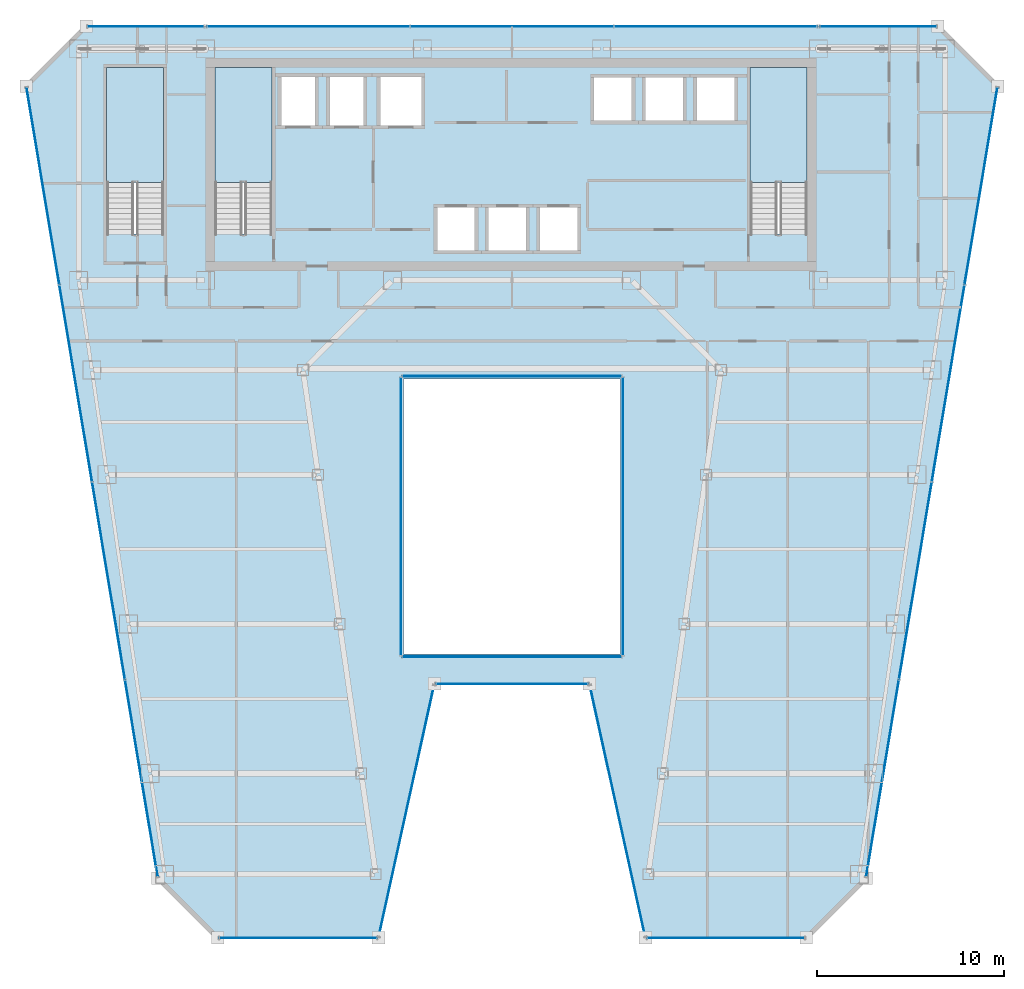
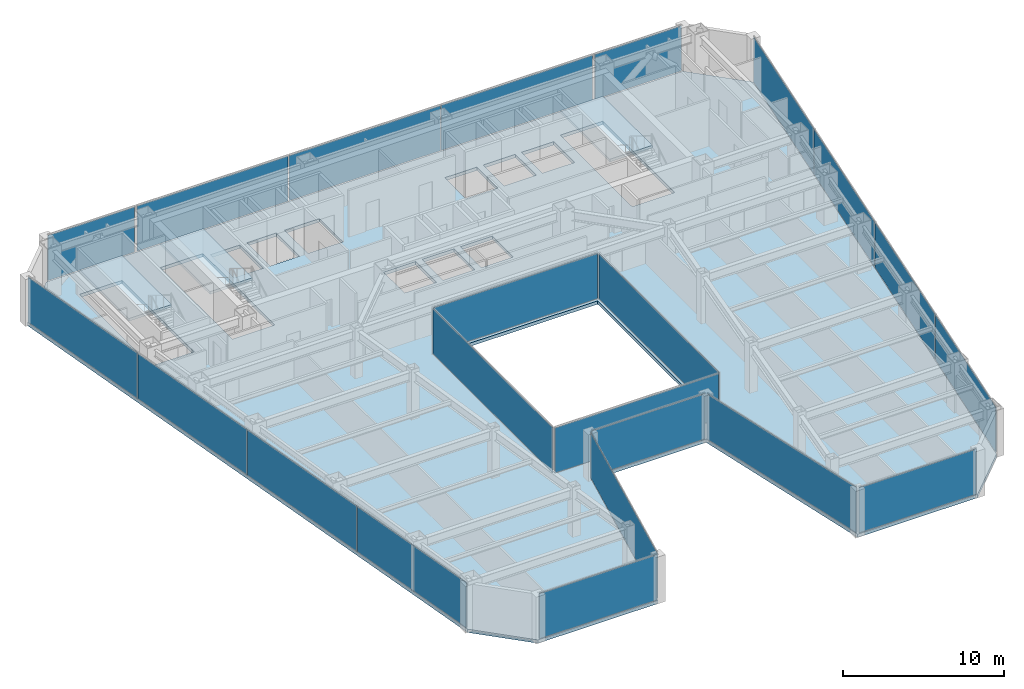
# One storey, part 29 of 36: 22 plates, 4 slabs, 17 elements without a shape of their own.
"""IFC4 building model written with IfcOpenShell, lengths in metres."""

from ifc_helpers import new_model, si_unit, direction, frame, origin, origin_2d, place, context, subcontext, project, spatial, polyline, rectangle, outline, extrude, material, layer, layer_set, type_object, element, aggregate, save


model = new_model("IFC4")

# Units and contexts
model_context = context("Model", 3, precision=1e-05, world=origin(), true_north=direction((0.0, 1.0)))
body_context = subcontext(model_context, "Body", "Model", "MODEL_VIEW")
ifc_project = project(units=[si_unit("LENGTHUNIT", "METRE"), si_unit("AREAUNIT", "SQUARE_METRE"), si_unit("VOLUMEUNIT", "CUBIC_METRE"), si_unit("PLANEANGLEUNIT", "RADIAN"), si_unit("MASSUNIT", "GRAM", prefix="KILO")], contexts=[model_context])

# Site, building, storey
site_placement = place(None, origin())
site = spatial("IfcSite", under=ifc_project, at=site_placement, CompositionType="ELEMENT")
building_placement = place(site_placement, origin())
building = spatial("IfcBuilding", under=site, at=building_placement, Name="Saevonmaru Cultural Tower", CompositionType="ELEMENT")
storey_placement = place(building_placement, frame((0.0, 0.0, 148.60009765625)))
storey = spatial("IfcBuildingStorey", under=building, at=storey_placement, Name="L32", CompositionType="ELEMENT", Elevation=148.60009765625)

# Curtain wall, plate
ifc_material_1 = material(Name="Satin Bronze Anodised Aluminium", Category="aluminium")
curtain_wall_type_1 = type_object("IfcCurtainWallType", Name="CW-ATR-GLZ", PredefinedType="NOTDEFINED", material=ifc_material_1)
curtain_wall_1_placement = place(storey_placement, origin())
curtain_wall_1 = element("IfcCurtainWall", 1, at=curtain_wall_1_placement, inside=storey, type_object=curtain_wall_type_1, Name="L32 Vertical Atrium Glazed Smoke Screen 1", PredefinedType="NOTDEFINED")
ifc_material_2 = material(Name="Fire-Rated Laminated Atrium Glass", Category="glass")
ifc_layer_1 = layer(ifc_material_2, 0.031982421875, Name="Fire-Rated Laminated Atrium Glass")
ifc_layer_set_1 = layer_set([ifc_layer_1], Name="Fire-Rated Laminated Atrium Glass")
plate_type_1 = type_object("IfcPlateType", Name="PN-GLZ-ATR-INT", PredefinedType="CURTAIN_PANEL", material=ifc_layer_set_1)
plate_1_placement = place(storey_placement, frame((30.0, 22.25, 0.06689453125), z_axis=(0.0, 0.0, 1.0), x_axis=(1.0, 0.0, 0.0)))
plate_1 = element("IfcPlate", 2, at=plate_1_placement, type_object=plate_type_1, Name="CW-ATR-L32-1 panel 1.1", PredefinedType="CURTAIN_PANEL", context=body_context, shape_type="SweptSolid", body=[
    extrude(rectangle(XDim=11.7109375, YDim=0.031982421875, at=origin_2d()), origin(), (0.0, 0.0, 1.0), 3.416015625),
])
aggregate(curtain_wall_1, [plate_1])

curtain_wall_2_placement = place(storey_placement, origin())
curtain_wall_2 = element("IfcCurtainWall", 3, at=curtain_wall_2_placement, inside=storey, type_object=curtain_wall_type_1, Name="L32 Vertical Atrium Glazed Smoke Screen 2", PredefinedType="NOTDEFINED")
plate_2_placement = place(storey_placement, frame((35.949951171875, 29.760009765625, 0.06689453125), z_axis=(0.0, 0.0, 1.0), x_axis=(0.0, 1.0, 0.0)))
plate_2 = element("IfcPlate", 4, at=plate_2_placement, type_object=plate_type_1, Name="CW-ATR-L32-2 panel 1.1", PredefinedType="CURTAIN_PANEL", context=body_context, shape_type="SweptSolid", body=[
    extrude(rectangle(XDim=14.8310546875, YDim=0.031982421875, at=origin_2d()), origin(), (0.0, 0.0, 1.0), 3.416015625),
])
aggregate(curtain_wall_2, [plate_2])

curtain_wall_3_placement = place(storey_placement, origin())
curtain_wall_3 = element("IfcCurtainWall", 5, at=curtain_wall_3_placement, inside=storey, type_object=curtain_wall_type_1, Name="L32 Vertical Atrium Glazed Smoke Screen 3", PredefinedType="NOTDEFINED")
plate_3_placement = place(storey_placement, frame((30.0, 37.27001953125, 0.06689453125), z_axis=(0.0, 0.0, 1.0), x_axis=(-1.0, 0.0, 0.0)))
plate_3 = element("IfcPlate", 6, at=plate_3_placement, type_object=plate_type_1, Name="CW-ATR-L32-3 panel 1.1", PredefinedType="CURTAIN_PANEL", context=body_context, shape_type="SweptSolid", body=[
    extrude(rectangle(XDim=11.7109375, YDim=0.031982421875, at=origin_2d()), origin(), (0.0, 0.0, 1.0), 3.416015625),
])
aggregate(curtain_wall_3, [plate_3])

curtain_wall_4_placement = place(storey_placement, origin())
curtain_wall_4 = element("IfcCurtainWall", 7, at=curtain_wall_4_placement, inside=storey, type_object=curtain_wall_type_1, Name="L32 Vertical Atrium Glazed Smoke Screen 4", PredefinedType="NOTDEFINED")
plate_4_placement = place(storey_placement, frame((24.050048828125, 29.760009765625, 0.06689453125), z_axis=(0.0, 0.0, 1.0), x_axis=(0.0, -1.0, 0.0)))
plate_4 = element("IfcPlate", 8, at=plate_4_placement, type_object=plate_type_1, Name="CW-ATR-L32-4 panel 1.1", PredefinedType="CURTAIN_PANEL", context=body_context, shape_type="SweptSolid", body=[
    extrude(rectangle(XDim=14.8310546875, YDim=0.031982421875, at=origin_2d()), origin(), (0.0, 0.0, 1.0), 3.416015625),
])
aggregate(curtain_wall_4, [plate_4])

curtain_wall_type_2 = type_object("IfcCurtainWallType", Name="CW-TYP-A", PredefinedType="NOTDEFINED", material=ifc_material_1)
curtain_wall_5_placement = place(storey_placement, origin())
curtain_wall_5 = element("IfcCurtainWall", 9, at=curtain_wall_5_placement, inside=storey, type_object=curtain_wall_type_2, Name="L32 Unitised Curtain Wall E2", PredefinedType="NOTDEFINED")
ifc_material_3 = material(Name="Triple Silver Low-E Insulating Glass", Category="glass")
ifc_layer_2 = layer(ifc_material_3, 0.035888671875, Name="Triple Silver Low-E Insulating Glass")
ifc_layer_set_2 = layer_set([ifc_layer_2], Name="Triple Silver Low-E Insulating Glass")
plate_type_2 = type_object("IfcPlateType", Name="PN-GLZ-IGU", PredefinedType="CURTAIN_PANEL", material=ifc_layer_set_2)
plate_5_placement = place(storey_placement, frame((18.548828125, 7.199951171875, 0.06689453125), z_axis=(0.0, 0.0, 1.0), x_axis=(1.0, 0.0, 0.0)))
plate_5 = element("IfcPlate", 10, at=plate_5_placement, type_object=plate_type_2, Name="CW-TW-L32-E2 panel 1.1", PredefinedType="CURTAIN_PANEL", context=body_context, shape_type="SweptSolid", body=[
    extrude(rectangle(XDim=8.410888671875, YDim=0.035888671875, at=origin_2d()), origin(), (0.0, 0.0, 1.0), 3.416015625),
])
aggregate(curtain_wall_5, [plate_5])

curtain_wall_6_placement = place(storey_placement, origin())
curtain_wall_6 = element("IfcCurtainWall", 11, at=curtain_wall_6_placement, inside=storey, type_object=curtain_wall_type_2, Name="L32 Unitised Curtain Wall E3", PredefinedType="NOTDEFINED")
plate_6_placement = place(storey_placement, frame((24.348876953125, 14.0, 0.06689453125), z_axis=(0.0, 0.0, 1.0), x_axis=(0.215413319953, 0.976522965212, 0.0)))
plate_6 = element("IfcPlate", 12, at=plate_6_placement, type_object=plate_type_2, Name="CW-TW-L32-E3 panel 1.1", PredefinedType="CURTAIN_PANEL", context=body_context, shape_type="SweptSolid", body=[
    extrude(rectangle(XDim=13.738037109375, YDim=0.035888671875, at=origin_2d()), origin(), (0.0, 0.0, 1.0), 3.416015625),
])
aggregate(curtain_wall_6, [plate_6])

curtain_wall_7_placement = place(storey_placement, origin())
curtain_wall_7 = element("IfcCurtainWall", 13, at=curtain_wall_7_placement, inside=storey, type_object=curtain_wall_type_2, Name="L32 Unitised Curtain Wall E4", PredefinedType="NOTDEFINED")
plate_7_placement = place(storey_placement, frame((30.0, 20.800048828125, 0.06689453125), z_axis=(0.0, 0.0, 1.0), x_axis=(1.0, 0.0, 0.0)))
plate_7 = element("IfcPlate", 14, at=plate_7_placement, type_object=plate_type_2, Name="CW-TW-L32-E4 panel 1.1", PredefinedType="CURTAIN_PANEL", context=body_context, shape_type="SweptSolid", body=[
    extrude(rectangle(XDim=8.11328125, YDim=0.035888671875, at=origin_2d()), origin(), (0.0, 0.0, 1.0), 3.416015625),
])
aggregate(curtain_wall_7, [plate_7])

curtain_wall_8_placement = place(storey_placement, origin())
curtain_wall_8 = element("IfcCurtainWall", 15, at=curtain_wall_8_placement, inside=storey, type_object=curtain_wall_type_2, Name="L32 Unitised Curtain Wall E5", PredefinedType="NOTDEFINED")
plate_8_placement = place(storey_placement, frame((35.651123046875, 14.0, 0.06689453125), z_axis=(0.0, 0.0, 1.0), x_axis=(0.215413319953, -0.976522965212, 0.0)))
plate_8 = element("IfcPlate", 16, at=plate_8_placement, type_object=plate_type_2, Name="CW-TW-L32-E5 panel 1.1", PredefinedType="CURTAIN_PANEL", context=body_context, shape_type="SweptSolid", body=[
    extrude(rectangle(XDim=13.738037109375, YDim=0.035888671875, at=origin_2d()), origin(), (0.0, 0.0, 1.0), 3.416015625),
])
aggregate(curtain_wall_8, [plate_8])

curtain_wall_9_placement = place(storey_placement, origin())
curtain_wall_9 = element("IfcCurtainWall", 17, at=curtain_wall_9_placement, inside=storey, type_object=curtain_wall_type_2, Name="L32 Unitised Curtain Wall E6", PredefinedType="NOTDEFINED")
plate_9_placement = place(storey_placement, frame((41.451171875, 7.199951171875, 0.06689453125), z_axis=(0.0, 0.0, 1.0), x_axis=(1.0, 0.0, 0.0)))
plate_9 = element("IfcPlate", 18, at=plate_9_placement, type_object=plate_type_2, Name="CW-TW-L32-E6 panel 1.1", PredefinedType="CURTAIN_PANEL", context=body_context, shape_type="SweptSolid", body=[
    extrude(rectangle(XDim=8.410888671875, YDim=0.035888671875, at=origin_2d()), origin(), (0.0, 0.0, 1.0), 3.416015625),
])
aggregate(curtain_wall_9, [plate_9])

# Curtain wall, plates
curtain_wall_10_placement = place(storey_placement, origin())
curtain_wall_10 = element("IfcCurtainWall", 19, at=curtain_wall_10_placement, inside=storey, type_object=curtain_wall_type_2, Name="L32 Unitised Curtain Wall E8", PredefinedType="NOTDEFINED")
plate_10_placement = place(storey_placement, frame((49.839599609375, 15.744384765625, 0.06689453125), z_axis=(0.0, 0.0, 1.0), x_axis=(0.163998702345, 0.986460554523, 0.0)))
plate_10 = element("IfcPlate", 20, at=plate_10_placement, type_object=plate_type_2, Name="CW-TW-L32-E8 panel 1.1", PredefinedType="CURTAIN_PANEL", context=body_context, shape_type="SweptSolid", body=[
    extrude(rectangle(XDim=10.646484375, YDim=0.035888671875, at=origin_2d()), origin(), (0.0, 0.0, 1.0), 3.416015625),
])
plate_11_placement = place(storey_placement, frame((51.596923828125, 26.314697265625, 0.06689453125), z_axis=(0.0, 0.0, 1.0), x_axis=(0.163998702345, 0.986460554523, 0.0)))
plate_11 = element("IfcPlate", 21, at=plate_11_placement, type_object=plate_type_2, Name="CW-TW-L32-E8 panel 2.1", PredefinedType="CURTAIN_PANEL", context=body_context, shape_type="SweptSolid", body=[
    extrude(rectangle(XDim=10.646484375, YDim=0.035888671875, at=origin_2d()), origin(), (0.0, 0.0, 1.0), 3.416015625),
])
plate_12_placement = place(storey_placement, frame((53.354248046875, 36.88525390625, 0.06689453125), z_axis=(0.0, 0.0, 1.0), x_axis=(0.163998702345, 0.986460554523, 0.0)))
plate_12 = element("IfcPlate", 22, at=plate_12_placement, type_object=plate_type_2, Name="CW-TW-L32-E8 panel 3.1", PredefinedType="CURTAIN_PANEL", context=body_context, shape_type="SweptSolid", body=[
    extrude(rectangle(XDim=10.646484375, YDim=0.035888671875, at=origin_2d()), origin(), (0.0, 0.0, 1.0), 3.416015625),
])
plate_13_placement = place(storey_placement, frame((55.111572265625, 47.45556640625, 0.06689453125), z_axis=(0.0, 0.0, 1.0), x_axis=(0.163998702345, 0.986460554523, 0.0)))
plate_13 = element("IfcPlate", 23, at=plate_13_placement, type_object=plate_type_2, Name="CW-TW-L32-E8 panel 4.1", PredefinedType="CURTAIN_PANEL", context=body_context, shape_type="SweptSolid", body=[
    extrude(rectangle(XDim=10.646484375, YDim=0.035888671875, at=origin_2d()), origin(), (0.0, 0.0, 1.0), 3.416015625),
])
aggregate(curtain_wall_10, [plate_10, plate_11, plate_12, plate_13])

curtain_wall_11_placement = place(storey_placement, origin())
curtain_wall_11 = element("IfcCurtainWall", 24, at=curtain_wall_11_placement, inside=storey, type_object=curtain_wall_type_2, Name="L32 North Spine Unitised Curtain Wall E10B", PredefinedType="NOTDEFINED")
plate_14_placement = place(storey_placement, frame((40.893310546875, 56.0, 0.06689453125), z_axis=(0.0, 0.0, 1.0), x_axis=(-1.0, 0.0, 0.0)))
plate_14 = element("IfcPlate", 25, at=plate_14_placement, type_object=plate_type_2, Name="CW-TW-L32-E10B panel 1.1", PredefinedType="CURTAIN_PANEL", context=body_context, shape_type="SweptSolid", body=[
    extrude(rectangle(XDim=10.82421875, YDim=0.035888671875, at=origin_2d()), origin(), (0.0, 0.0, 1.0), 3.416015625),
])
plate_15_placement = place(storey_placement, frame((30.0, 56.0, 0.06689453125), z_axis=(0.0, 0.0, 1.0), x_axis=(-1.0, 0.0, 0.0)))
plate_15 = element("IfcPlate", 26, at=plate_15_placement, type_object=plate_type_2, Name="CW-TW-L32-E10B panel 2.1", PredefinedType="CURTAIN_PANEL", context=body_context, shape_type="SweptSolid", body=[
    extrude(rectangle(XDim=10.82421875, YDim=0.035888671875, at=origin_2d()), origin(), (0.0, 0.0, 1.0), 3.416015625),
])
plate_16_placement = place(storey_placement, frame((19.106689453125, 56.0, 0.06689453125), z_axis=(0.0, 0.0, 1.0), x_axis=(-1.0, 0.0, 0.0)))
plate_16 = element("IfcPlate", 27, at=plate_16_placement, type_object=plate_type_2, Name="CW-TW-L32-E10B panel 3.1", PredefinedType="CURTAIN_PANEL", context=body_context, shape_type="SweptSolid", body=[
    extrude(rectangle(XDim=10.82421875, YDim=0.035888671875, at=origin_2d()), origin(), (0.0, 0.0, 1.0), 3.416015625),
])
aggregate(curtain_wall_11, [plate_14, plate_15, plate_16])

curtain_wall_12_placement = place(storey_placement, origin())
curtain_wall_12 = element("IfcCurtainWall", 28, at=curtain_wall_12_placement, inside=storey, type_object=curtain_wall_type_2, Name="L32 Unitised Curtain Wall E12", PredefinedType="NOTDEFINED")
plate_17_placement = place(storey_placement, frame((4.888427734375, 47.45556640625, 0.06689453125), z_axis=(0.0, 0.0, 1.0), x_axis=(0.163998702345, -0.986460554523, 0.0)))
plate_17 = element("IfcPlate", 29, at=plate_17_placement, type_object=plate_type_2, Name="CW-TW-L32-E12 panel 1.1", PredefinedType="CURTAIN_PANEL", context=body_context, shape_type="SweptSolid", body=[
    extrude(rectangle(XDim=10.646484375, YDim=0.035888671875, at=origin_2d()), origin(), (0.0, 0.0, 1.0), 3.416015625),
])
plate_18_placement = place(storey_placement, frame((6.645751953125, 36.88525390625, 0.06689453125), z_axis=(0.0, 0.0, 1.0), x_axis=(0.163998702345, -0.986460554523, 0.0)))
plate_18 = element("IfcPlate", 30, at=plate_18_placement, type_object=plate_type_2, Name="CW-TW-L32-E12 panel 2.1", PredefinedType="CURTAIN_PANEL", context=body_context, shape_type="SweptSolid", body=[
    extrude(rectangle(XDim=10.646484375, YDim=0.035888671875, at=origin_2d()), origin(), (0.0, 0.0, 1.0), 3.416015625),
])
plate_19_placement = place(storey_placement, frame((8.403076171875, 26.314697265625, 0.06689453125), z_axis=(0.0, 0.0, 1.0), x_axis=(0.163998702345, -0.986460554523, 0.0)))
plate_19 = element("IfcPlate", 31, at=plate_19_placement, type_object=plate_type_2, Name="CW-TW-L32-E12 panel 3.1", PredefinedType="CURTAIN_PANEL", context=body_context, shape_type="SweptSolid", body=[
    extrude(rectangle(XDim=10.646484375, YDim=0.035888671875, at=origin_2d()), origin(), (0.0, 0.0, 1.0), 3.416015625),
])
plate_20_placement = place(storey_placement, frame((10.160400390625, 15.744384765625, 0.06689453125), z_axis=(0.0, 0.0, 1.0), x_axis=(0.163998702345, -0.986460554523, 0.0)))
plate_20 = element("IfcPlate", 32, at=plate_20_placement, type_object=plate_type_2, Name="CW-TW-L32-E12 panel 4.1", PredefinedType="CURTAIN_PANEL", context=body_context, shape_type="SweptSolid", body=[
    extrude(rectangle(XDim=10.646484375, YDim=0.035888671875, at=origin_2d()), origin(), (0.0, 0.0, 1.0), 3.416015625),
])
aggregate(curtain_wall_12, [plate_17, plate_18, plate_19, plate_20])

# Curtain wall, plate
curtain_wall_13_placement = place(storey_placement, origin())
curtain_wall_13 = element("IfcCurtainWall", 33, at=curtain_wall_13_placement, inside=storey, type_object=curtain_wall_type_2, Name="L32 East Braced Bay Spandrel Curtain Wall E10A", PredefinedType="NOTDEFINED")
ifc_material_4 = material(Name="Insulated Satin Bronze Aluminium Spandrel Panel", Category="aluminium")
ifc_layer_3 = layer(ifc_material_4, 0.0400390625, Name="Insulated Satin Bronze Aluminium Spandrel Panel")
ifc_layer_set_3 = layer_set([ifc_layer_3], Name="Insulated Satin Bronze Aluminium Spandrel Panel")
plate_type_3 = type_object("IfcPlateType", Name="PN-SPANDREL-BRONZE", PredefinedType="CURTAIN_PANEL", material=ifc_layer_set_3)
plate_21_placement = place(storey_placement, frame((49.60009765625, 56.0, 0.06689453125), z_axis=(0.0, 0.0, 1.0), x_axis=(-1.0, 0.0, 0.0)))
plate_21 = element("IfcPlate", 34, at=plate_21_placement, type_object=plate_type_3, Name="CW-TW-L32-E10A panel 1.1", PredefinedType="CURTAIN_PANEL", context=body_context, shape_type="SweptSolid", body=[
    extrude(rectangle(XDim=6.2109375, YDim=0.035888671875, at=origin_2d()), origin(), (0.0, 0.0, 1.0), 3.416015625),
])
aggregate(curtain_wall_13, [plate_21])

curtain_wall_14_placement = place(storey_placement, origin())
curtain_wall_14 = element("IfcCurtainWall", 35, at=curtain_wall_14_placement, inside=storey, type_object=curtain_wall_type_2, Name="L32 West Braced Bay Spandrel Curtain Wall E10C", PredefinedType="NOTDEFINED")
plate_22_placement = place(storey_placement, frame((10.39990234375, 56.0, 0.06689453125), z_axis=(0.0, 0.0, 1.0), x_axis=(-1.0, 0.0, 0.0)))
plate_22 = element("IfcPlate", 36, at=plate_22_placement, type_object=plate_type_3, Name="CW-TW-L32-E10C panel 1.1", PredefinedType="CURTAIN_PANEL", context=body_context, shape_type="SweptSolid", body=[
    extrude(rectangle(XDim=6.2109375, YDim=0.035888671875, at=origin_2d()), origin(), (0.0, 0.0, 1.0), 3.416015625),
])
aggregate(curtain_wall_14, [plate_22])

# Slab
ifc_material_5 = material(Name="Concrete C40/50", Category="concrete")
ifc_layer_4 = layer(ifc_material_5, 0.25, Name="Concrete C40/50")
ifc_layer_set_4 = layer_set([ifc_layer_4], Name="Concrete C40/50")
slab_type_1 = type_object("IfcSlabType", Name="SL-FLR-250", PredefinedType="FLOOR", material=ifc_layer_set_4)
slab_1_placement = place(storey_placement, frame((0.0, 0.0, -0.25)))
element("IfcSlab", 37, at=slab_1_placement, inside=storey, type_object=slab_type_1, Name="L32 Tower Structural Floor Slab", PredefinedType="FLOOR", context=body_context, shape_type="SweptSolid", body=[
    extrude(outline(polyline([(11.048828125, 10.39990234375), (14.248779296875, 7.199951171875), (22.848876953125, 7.199951171875), (25.848876953125, 20.800048828125), (34.151123046875, 20.800048828125), (37.151123046875, 7.199951171875), (45.751220703125, 7.199951171875), (48.951171875, 10.39990234375), (56.0, 52.800048828125), (52.800048828125, 56.0), (7.199951171875, 56.0), (4.0, 52.800048828125), (11.048828125, 10.39990234375)]), holes=[polyline([(45.800048828125, 44.875), (42.75, 44.875), (42.75, 53.800048828125), (45.800048828125, 53.800048828125), (45.800048828125, 44.875)]), polyline([(39.75, 50.800048828125), (39.75, 53.39990234375), (42.050048828125, 53.39990234375), (42.050048828125, 50.800048828125), (39.75, 50.800048828125)]), polyline([(37.0, 50.800048828125), (37.0, 53.39990234375), (39.300048828125, 53.39990234375), (39.300048828125, 50.800048828125), (37.0, 50.800048828125)]), polyline([(34.25, 50.800048828125), (34.25, 53.39990234375), (36.550048828125, 53.39990234375), (36.550048828125, 50.800048828125), (34.25, 50.800048828125)]), polyline([(24.199951171875, 22.39990234375), (24.199951171875, 37.1201171875), (35.800048828125, 37.1201171875), (35.800048828125, 22.39990234375), (24.199951171875, 22.39990234375)]), polyline([(31.35009765625, 43.85009765625), (31.35009765625, 46.449951171875), (33.64990234375, 46.449951171875), (33.64990234375, 43.85009765625), (31.35009765625, 43.85009765625)]), polyline([(28.60009765625, 43.85009765625), (28.60009765625, 46.449951171875), (30.89990234375, 46.449951171875), (30.89990234375, 43.85009765625), (28.60009765625, 43.85009765625)]), polyline([(28.14990234375, 43.85009765625), (25.85009765625, 43.85009765625), (25.85009765625, 46.449951171875), (28.14990234375, 46.449951171875), (28.14990234375, 43.85009765625)]), polyline([(25.300048828125, 50.550048828125), (22.800048828125, 50.550048828125), (22.800048828125, 53.449951171875), (25.300048828125, 53.449951171875), (25.300048828125, 50.550048828125)]), polyline([(20.10009765625, 50.550048828125), (20.10009765625, 53.449951171875), (22.199951171875, 53.449951171875), (22.199951171875, 50.550048828125), (20.10009765625, 50.550048828125)]), polyline([(17.5, 50.550048828125), (17.5, 53.449951171875), (19.60009765625, 53.449951171875), (19.60009765625, 50.550048828125), (17.5, 50.550048828125)]), polyline([(17.14990234375, 53.800048828125), (17.14990234375, 44.875), (14.10009765625, 44.875), (14.10009765625, 53.800048828125), (17.14990234375, 53.800048828125)]), polyline([(11.35009765625, 44.875), (8.300048828125, 44.875), (8.300048828125, 53.800048828125), (11.35009765625, 53.800048828125), (11.35009765625, 44.875)])]), origin(), (0.0, 0.0, 1.0), 0.25),
])

# Stair, slab
stair_type = type_object("IfcStairType", Name="STR-DOGLEG-RC", PredefinedType="HALF_TURN_STAIR", material=ifc_material_5)
stair_1_placement = place(storey_placement, origin())
stair_1 = element("IfcStair", 38, at=stair_1_placement, inside=storey, type_object=stair_type, Name="L32 Protected exit stair ST-1", PredefinedType="HALF_TURN_STAIR")
ifc_layer_5 = layer(ifc_material_5, 0.199951171875, Name="Concrete C40/50")
ifc_layer_set_5 = layer_set([ifc_layer_5], Name="Concrete C40/50")
slab_type_2 = type_object("IfcSlabType", Name="SL-STAIR-LANDING", PredefinedType="LANDING", material=ifc_layer_set_5)
slab_2_placement = place(storey_placement, frame((0.0, 0.0, 1.699951171875)))
slab_2 = element("IfcSlab", 39, at=slab_2_placement, type_object=slab_type_2, Name="ST-1-L32 landing 1", PredefinedType="LANDING", context=body_context, shape_type="SweptSolid", body=[
    extrude(outline(polyline([(17.14990234375, 47.64990234375), (17.14990234375, 53.800048828125), (14.10009765625, 53.800048828125), (14.10009765625, 47.64990234375), (17.14990234375, 47.64990234375)])), origin(), (0.0, 0.0, 1.0), 0.199951171875),
])
aggregate(stair_1, [slab_2])

stair_2_placement = place(storey_placement, origin())
stair_2 = element("IfcStair", 40, at=stair_2_placement, inside=storey, type_object=stair_type, Name="L32 Protected exit stair ST-2", PredefinedType="HALF_TURN_STAIR")
slab_3_placement = place(storey_placement, frame((0.0, 0.0, 1.699951171875)))
slab_3 = element("IfcSlab", 41, at=slab_3_placement, type_object=slab_type_2, Name="ST-2-L32 landing 1", PredefinedType="LANDING", context=body_context, shape_type="SweptSolid", body=[
    extrude(outline(polyline([(45.800048828125, 47.64990234375), (45.800048828125, 53.800048828125), (42.75, 53.800048828125), (42.75, 47.64990234375), (45.800048828125, 47.64990234375)])), origin(), (0.0, 0.0, 1.0), 0.199951171875),
])
aggregate(stair_2, [slab_3])

stair_3_placement = place(storey_placement, origin())
stair_3 = element("IfcStair", 42, at=stair_3_placement, inside=storey, type_object=stair_type, Name="L32 Protected exit stair ST-3", PredefinedType="HALF_TURN_STAIR")
slab_4_placement = place(storey_placement, frame((0.0, 0.0, 1.699951171875)))
slab_4 = element("IfcSlab", 43, at=slab_4_placement, type_object=slab_type_2, Name="ST-3-L32 landing 1", PredefinedType="LANDING", context=body_context, shape_type="SweptSolid", body=[
    extrude(outline(polyline([(11.35009765625, 47.64990234375), (11.35009765625, 53.800048828125), (8.300048828125, 53.800048828125), (8.300048828125, 47.64990234375), (11.35009765625, 47.64990234375)])), origin(), (0.0, 0.0, 1.0), 0.199951171875),
])
aggregate(stair_3, [slab_4])

save(model, "model.ifc")
